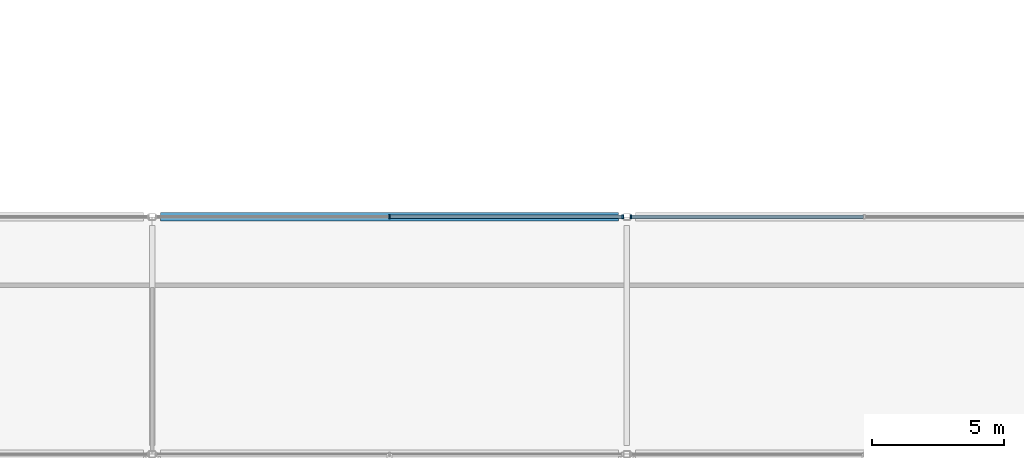
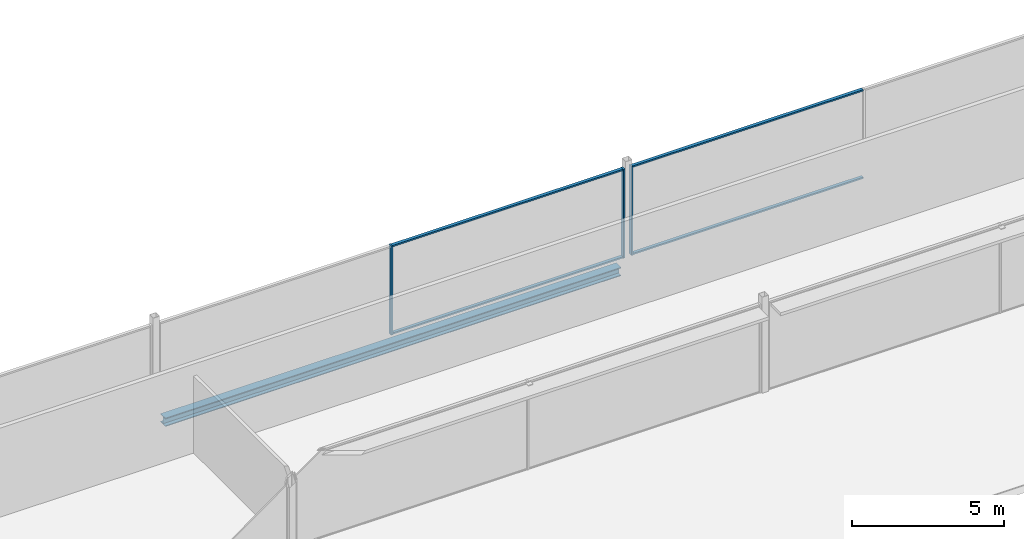
# One storey, part 40 of 105: 7 members, 1 beam, 2 elements without a shape of their own.
"""IFC4 building model written with IfcOpenShell, lengths in metres."""

from ifc_helpers import new_model, si_unit, direction, frame, origin, origin_2d, place, context, subcontext, project, spatial, rectangle, i_section, extrude, material, layer, layer_set, material_profile, profile_set, type_object, element, aggregate, save


model = new_model("IFC4")

# Units and contexts
model_context = context("Model", 3, precision=1e-05, world=origin(), true_north=direction((0.0, 1.0)))
body_context = subcontext(model_context, "Body", "Model", "MODEL_VIEW")
ifc_project = project(units=[si_unit("LENGTHUNIT", "METRE"), si_unit("AREAUNIT", "SQUARE_METRE"), si_unit("VOLUMEUNIT", "CUBIC_METRE"), si_unit("PLANEANGLEUNIT", "RADIAN"), si_unit("MASSUNIT", "GRAM", prefix="KILO")], contexts=[model_context])

# Site, building, storey
site_placement = place(None, origin())
site = spatial("IfcSite", under=ifc_project, at=site_placement, CompositionType="ELEMENT")
building_placement = place(site_placement, origin())
building = spatial("IfcBuilding", under=site, at=building_placement, Name="Kisiwana Market Hall", CompositionType="ELEMENT")
storey_placement = place(building_placement, frame((0.0, 0.0, 21.60009765625)))
storey = spatial("IfcBuildingStorey", under=building, at=storey_placement, Name="L04", CompositionType="ELEMENT", Elevation=21.60009765625)

# Beam
ifc_material_1 = material(Name="Steel S355", Category="steel")
ifc_material_profile_1 = material_profile(ifc_material_1, i_section(OverallWidth=0.314453125, OverallDepth=0.33984375, WebThickness=0.01904296875, FlangeThickness=0.031494140625, at=origin_2d()), Name="UC 305x305x198")
ifc_profile_set_1 = profile_set([ifc_material_profile_1], Name="Steel S355")
beam_type = type_object("IfcBeamType", Name="BM-SKYBR-CHORD", PredefinedType="BEAM", material=ifc_profile_set_1)
beam_placement = place(storey_placement, frame((99.321044921875, 102.0, -0.43505859375), z_axis=(1.0, 0.0, 0.0), x_axis=(0.0, 1.0, 0.0)))
element("IfcBeam", 1, at=beam_placement, inside=storey, type_object=beam_type, Name="Floor beam B-1474", PredefinedType="BEAM", context=body_context, shape_type="SweptSolid", body=[
    extrude(i_section(OverallWidth=0.314453125, OverallDepth=0.33984375, WebThickness=0.01904296875, FlangeThickness=0.031494140625, at=origin_2d()), origin(), (0.0, 0.0, 1.0), 17.35791015625),
])

# Curtain wall, members
ifc_material_2 = material(Name="Double-glazed solar-control low-E IGU", Category="glass")
ifc_layer = layer(ifc_material_2, 0.159912109375)
ifc_layer_set = layer_set([ifc_layer], Name="CW-ZNA-EW-8200")
curtain_wall_type = type_object("IfcCurtainWallType", Name="CW-ZNA-EW-8200", PredefinedType="USERDEFINED", material=ifc_layer_set)
curtain_wall_1_placement = place(storey_placement, origin())
curtain_wall_1 = element("IfcCurtainWall", 2, at=curtain_wall_1_placement, inside=storey, type_object=curtain_wall_type, Name="Unitised curtain wall CW-113 (L04)", ObjectType="UNITISED CURTAIN WALL", PredefinedType="USERDEFINED")
ifc_material_3 = material(Name="Aluminium alloy 6063-T6", Category="aluminium")
ifc_material_profile_2 = material_profile(ifc_material_3, rectangle(XDim=0.06005859375, YDim=0.159912109375, at=origin_2d()), Name="ALU MULLION 60x160")
ifc_profile_set_2 = profile_set([ifc_material_profile_2], Name="Aluminium alloy 6063-T6")
member_type_1 = type_object("IfcMemberType", Name="CW-MULL-60x160", PredefinedType="MULLION", material=ifc_profile_set_2)
member_1_placement = place(storey_placement, frame((108.0, 102.0, 0.0), z_axis=(0.0, 0.0, 1.0), x_axis=(1.0, 0.0, 0.0)))
member_1 = element("IfcMember", 3, at=member_1_placement, type_object=member_type_1, Name="CW-113 mullion 2", PredefinedType="MULLION", context=body_context, shape_type="SweptSolid", body=[
    extrude(rectangle(XDim=0.06005859375, YDim=0.159912109375, at=origin_2d()), origin(), (0.0, 0.0, 1.0), 3.5849609375),
])
member_2_placement = place(storey_placement, frame((116.844970703125, 102.0, 0.0), z_axis=(0.0, 0.0, 1.0), x_axis=(1.0, 0.0, 0.0)))
member_2 = element("IfcMember", 4, at=member_2_placement, type_object=member_type_1, Name="CW-113 mullion 3", PredefinedType="MULLION", context=body_context, shape_type="SweptSolid", body=[
    extrude(rectangle(XDim=0.06005859375, YDim=0.159912109375, at=origin_2d()), origin(), (0.0, 0.0, 1.0), 3.5849609375),
])

# Curtain wall, member
curtain_wall_2_placement = place(storey_placement, origin())
curtain_wall_2 = element("IfcCurtainWall", 5, at=curtain_wall_2_placement, inside=storey, type_object=curtain_wall_type, Name="Unitised curtain wall CW-114 (L04)", ObjectType="UNITISED CURTAIN WALL", PredefinedType="USERDEFINED")
member_3_placement = place(storey_placement, frame((117.155029296875, 102.0, 0.0), z_axis=(0.0, 0.0, 1.0), x_axis=(1.0, 0.0, 0.0)))
member_3 = element("IfcMember", 6, at=member_3_placement, type_object=member_type_1, Name="CW-114 mullion 1", PredefinedType="MULLION", context=body_context, shape_type="SweptSolid", body=[
    extrude(rectangle(XDim=0.06005859375, YDim=0.159912109375, at=origin_2d()), origin(), (0.0, 0.0, 1.0), 3.5849609375),
])

# Member
ifc_material_4 = material(Name="Aluminium alloy 6063-T6", Category="aluminium")
ifc_material_profile_3 = material_profile(ifc_material_4, rectangle(XDim=0.1201171875, YDim=0.06005859375, at=origin_2d()), Name="ALU TRANSOM 60x120")
ifc_profile_set_3 = profile_set([ifc_material_profile_3], Name="Aluminium alloy 6063-T6")
member_type_2 = type_object("IfcMemberType", Name="CW-TRAN-60x120", PredefinedType="USERDEFINED", material=ifc_profile_set_3)
member_4_placement = place(storey_placement, frame((108.030029296875, 102.0, 0.02978515625), z_axis=(1.0, 0.0, 0.0), x_axis=(0.0, 1.0, 0.0)))
member_4 = element("IfcMember", 7, at=member_4_placement, type_object=member_type_2, Name="CW-113 transom 2.1", ObjectType="TRANSOM", PredefinedType="USERDEFINED", context=body_context, shape_type="SweptSolid", body=[
    extrude(rectangle(XDim=0.1201171875, YDim=0.06005859375, at=origin_2d()), origin(), (0.0, 0.0, 1.0), 8.784912109375),
])

member_5_placement = place(storey_placement, frame((108.030029296875, 102.0, 3.554931640625), z_axis=(1.0, 0.0, 0.0), x_axis=(0.0, 1.0, 0.0)))
member_5 = element("IfcMember", 8, at=member_5_placement, type_object=member_type_2, Name="CW-113 transom 2.2", ObjectType="TRANSOM", PredefinedType="USERDEFINED", context=body_context, shape_type="SweptSolid", body=[
    extrude(rectangle(XDim=0.1201171875, YDim=0.06005859375, at=origin_2d()), origin(), (0.0, 0.0, 1.0), 8.784912109375),
])

aggregate(curtain_wall_1, [member_1, member_2, member_4, member_5])

member_6_placement = place(storey_placement, frame((117.18505859375, 102.0, 0.02978515625), z_axis=(1.0, 0.0, 0.0), x_axis=(0.0, 1.0, 0.0)))
member_6 = element("IfcMember", 9, at=member_6_placement, type_object=member_type_2, Name="CW-114 transom 1.1", ObjectType="TRANSOM", PredefinedType="USERDEFINED", context=body_context, shape_type="SweptSolid", body=[
    extrude(rectangle(XDim=0.1201171875, YDim=0.06005859375, at=origin_2d()), origin(), (0.0, 0.0, 1.0), 8.784912109375),
])

member_7_placement = place(storey_placement, frame((117.18505859375, 102.0, 3.554931640625), z_axis=(1.0, 0.0, 0.0), x_axis=(0.0, 1.0, 0.0)))
member_7 = element("IfcMember", 10, at=member_7_placement, type_object=member_type_2, Name="CW-114 transom 1.2", ObjectType="TRANSOM", PredefinedType="USERDEFINED", context=body_context, shape_type="SweptSolid", body=[
    extrude(rectangle(XDim=0.1201171875, YDim=0.06005859375, at=origin_2d()), origin(), (0.0, 0.0, 1.0), 8.784912109375),
])

aggregate(curtain_wall_2, [member_3, member_6, member_7])

save(model, "model.ifc")
